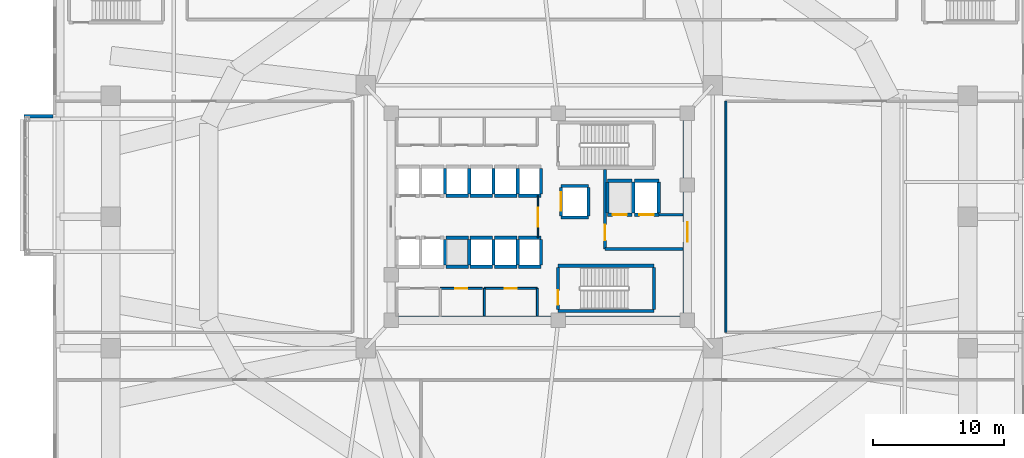
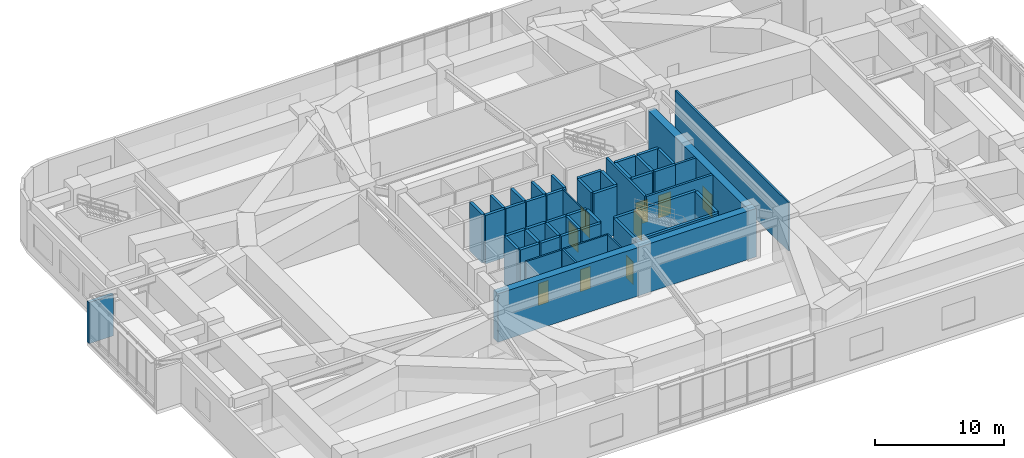
# One storey, part 18 of 26: 49 walls, 9 doors, 9 openings.
"""IFC4 building model written with IfcOpenShell, lengths in metres."""

import ifcopenshell
import ifcopenshell.guid

model = None  # the IFC model being written
_history = None  # IfcOwnerHistory: only IFC2X3 demands one
_inside = {}  # id of a spatial element -> (the spatial element, [elements in it])
_under = {}  # id of a project, library or spatial element -> (it, [spatial elements below it])
_declared = {}  # id of a project -> (the project, [libraries it declares])
_typed = {}  # id of a type object -> (the type object, [elements of that type])
_made_of = {}  # id of a material, layer set ... -> (it, [elements and type objects made of it])


def new_model(schema):
    """Start an empty IFC model of exactly this schema.

    Asked for "IFC4X3", IfcOpenShell would pick the latest addendum, in which some entities
    have other attributes; the version numbers below select the first issue.
    IFC2X3 requires an IfcOwnerHistory on every rooted entity: one is made here for all.
    """
    global model, _history
    if schema == "IFC4X3":
        model = ifcopenshell.file(schema_version=(4, 3, 0, 0))
    else:
        model = ifcopenshell.file(schema=schema)
    _inside.clear()
    _under.clear()
    _declared.clear()
    _typed.clear()
    _made_of.clear()
    _history = None
    if model.schema == "IFC2X3":
        org = make("IfcOrganization", Name="unknown")
        user = make(
            "IfcPersonAndOrganization",
            ThePerson=make("IfcPerson", FamilyName="unknown"),
            TheOrganization=org,
        )
        app = make(
            "IfcApplication",
            ApplicationDeveloper=org,
            Version="unknown",
            ApplicationFullName="unknown",
            ApplicationIdentifier="unknown",
        )
        _history = make(
            "IfcOwnerHistory",
            OwningUser=user,
            OwningApplication=app,
            ChangeAction="ADDED",
            CreationDate=0,
        )
    return model


def make(cls, **values):
    """One entity of the class cls with the attributes given. An attribute that is None is left unset."""
    return model.create_entity(
        cls, **{name: value for name, value in values.items() if value is not None}
    )


def rooted(cls, **values):
    """An entity with a GlobalId (a new one), such as an element, a storey or a relation."""
    return make(cls, GlobalId=ifcopenshell.guid.new(), OwnerHistory=_history, **values)


def si_unit(unit_type, name, prefix=None):
    """IfcSIUnit, for example si_unit("LENGTHUNIT", "METRE", prefix="MILLI")."""
    return make("IfcSIUnit", UnitType=unit_type, Prefix=prefix, Name=name)


def assignment(units):
    """IfcUnitAssignment: the units of a project."""
    return None if units is None else make("IfcUnitAssignment", Units=units)


def point(xyz):
    """IfcCartesianPoint."""
    return None if xyz is None else make("IfcCartesianPoint", Coordinates=xyz)


def direction(xyz):
    """IfcDirection."""
    return None if xyz is None else make("IfcDirection", DirectionRatios=xyz)


def frame(location, z_axis=None, x_axis=None):
    """IfcAxis2Placement3D, a coordinate frame: its origin and axes. An axis left out is left unset."""
    return make(
        "IfcAxis2Placement3D",
        Location=point(location),
        Axis=direction(z_axis),
        RefDirection=direction(x_axis),
    )


def frame_2d(location, x_axis=None):
    """IfcAxis2Placement2D, a coordinate frame in the plane: its origin and x axis."""
    return make(
        "IfcAxis2Placement2D", Location=point(location), RefDirection=direction(x_axis)
    )


def origin():
    """The frame at (0, 0, 0) with its axes left unset."""
    return frame((0.0, 0.0, 0.0))


def place(relative_to, where):
    """IfcLocalPlacement: puts the frame where relative to a parent placement (None: the world)."""
    return make(
        "IfcLocalPlacement", PlacementRelTo=relative_to, RelativePlacement=where
    )


def context(
    kind, dimensions, precision=None, world=None, true_north=None, identifier=None
):
    """IfcGeometricRepresentationContext, for example the 3D "Model" context."""
    return make(
        "IfcGeometricRepresentationContext",
        ContextIdentifier=identifier,
        ContextType=kind,
        CoordinateSpaceDimension=dimensions,
        Precision=precision,
        WorldCoordinateSystem=world,
        TrueNorth=true_north,
    )


def subcontext(parent, identifier, kind, view, scale=None):
    """IfcGeometricRepresentationSubContext, for example "Body" below "Model"."""
    return make(
        "IfcGeometricRepresentationSubContext",
        ContextIdentifier=identifier,
        ContextType=kind,
        ParentContext=parent,
        TargetScale=scale,
        TargetView=view,
    )


def project(units=None, contexts=None):
    """IfcProject with its units and contexts."""
    return rooted(
        "IfcProject",
        Name="project",
        RepresentationContexts=contexts,
        UnitsInContext=assignment(units),
    )


def spatial(cls, under=None, at=None, **own):
    """A site, building, storey or space (cls), placed at a placement, below another one or the project."""
    s = rooted(cls, ObjectPlacement=at, **own)
    if under is not None:
        _under.setdefault(under.id(), (under, []))[1].append(s)
    return s


def profile(cls, at=None, kind="AREA", **sizes):
    """A parametric profile (cls). Its sizes go by their IFC names, for example OverallWidth=200.0."""
    return make(cls, ProfileType=kind, Position=at, **sizes)


def rectangle(**sizes):
    """IfcRectangleProfileDef."""
    return profile("IfcRectangleProfileDef", **sizes)


def extrude(swept, where, along, depth):
    """IfcExtrudedAreaSolid: the profile swept, set in the frame where, extruded along a direction by depth."""
    return make(
        "IfcExtrudedAreaSolid",
        SweptArea=swept,
        Position=where,
        ExtrudedDirection=direction(along),
        Depth=depth,
    )


def shape(context_of_items, identifier, shape_type, items):
    """IfcShapeRepresentation: the items that make up one representation, for example the "Body"."""
    return make(
        "IfcShapeRepresentation",
        ContextOfItems=context_of_items,
        RepresentationIdentifier=identifier,
        RepresentationType=shape_type,
        Items=items,
    )


def material(Name=None, Category=None):
    """IfcMaterial."""
    return make("IfcMaterial", Name=Name, Category=Category)


def layer(
    of_material, thickness, ventilated=None, Name=None, Category=None, Priority=None
):
    """IfcMaterialLayer: one layer of a wall or slab, of a material (None: an air gap)."""
    return make(
        "IfcMaterialLayer",
        Material=of_material,
        LayerThickness=thickness,
        IsVentilated=ventilated,
        Name=Name,
        Category=Category,
        Priority=Priority,
    )


def layer_set(layers, Name=None):
    """IfcMaterialLayerSet."""
    return make("IfcMaterialLayerSet", MaterialLayers=layers, LayerSetName=Name)


def made_of(thing, what):
    """Note that an element or type object is made of a material, layer set ...; save() writes the relation."""
    if what is not None:
        _made_of.setdefault(what.id(), (what, []))[1].append(thing)
    return thing


def type_object(cls, material=None, **own):
    """A type object (cls), such as IfcWallType, which elements share."""
    return made_of(rooted(cls, **own), material)


def element(
    cls,
    number,
    at=None,
    inside=None,
    cuts=None,
    type_object=None,
    material=None,
    context=None,
    identifier="Body",
    shape_type=None,
    held_by="IfcProductDefinitionShape",
    body=None,
    shapes=None,
    **own,
):
    """One element of the class cls, such as IfcWall. Its Tag is "e" and its number.

    at: its placement. inside: the storey or other place that contains it. cuts: it is an
    opening in that element (IfcRelVoidsElement). A single representation is given by context,
    identifier, shape_type and body (its items); several are given by shapes. held_by: the class
    of the entity that holds the representations. save() writes the other relations.
    """
    e = rooted(cls, Tag="e%d" % number, ObjectPlacement=at, **own)
    if body is not None:
        shapes = [shape(context, identifier, shape_type, body)]
    if shapes is not None:
        e.Representation = make(held_by, Representations=shapes)
    if inside is not None:
        _inside.setdefault(inside.id(), (inside, []))[1].append(e)
    if cuts is not None:
        rooted(
            "IfcRelVoidsElement", RelatingBuildingElement=cuts, RelatedOpeningElement=e
        )
    if type_object is not None:
        _typed.setdefault(type_object.id(), (type_object, []))[1].append(e)
    return made_of(e, material)


def fill(opening, filler):
    """IfcRelFillsElement: the door or window that sits in an opening."""
    return rooted(
        "IfcRelFillsElement",
        RelatingOpeningElement=opening,
        RelatedBuildingElement=filler,
    )


def aggregate(whole, parts):
    """IfcRelAggregates: a whole, such as a stair, and the parts it consists of."""
    return rooted("IfcRelAggregates", RelatingObject=whole, RelatedObjects=parts)


def save(model, path):
    """Write the relations noted so far, then the file.

    IfcRelAggregates (storeys below a building ...), IfcRelContainedInSpatialStructure (elements
    in a storey), IfcRelDefinesByType, IfcRelAssociatesMaterial and IfcRelDeclares: one each for
    every whole, place, type object, material and project.
    """
    for whole, parts in _under.values():
        aggregate(whole, parts)
    for where, things in _inside.values():
        rooted(
            "IfcRelContainedInSpatialStructure",
            RelatedElements=things,
            RelatingStructure=where,
        )
    for kind, things in _typed.values():
        rooted("IfcRelDefinesByType", RelatedObjects=things, RelatingType=kind)
    for what, things in _made_of.values():
        rooted("IfcRelAssociatesMaterial", RelatedObjects=things, RelatingMaterial=what)
    for by, libraries in _declared.values():
        rooted("IfcRelDeclares", RelatingContext=by, RelatedDefinitions=libraries)
    model.write(path)


model = new_model("IFC4")

# Units and contexts
model_context = context("Model", 3, precision=1e-05, world=origin(), true_north=direction((0.0, 1.0)))
body_context = subcontext(model_context, "Body", "Model", "MODEL_VIEW")
ifc_project = project(units=[si_unit("LENGTHUNIT", "METRE"), si_unit("AREAUNIT", "SQUARE_METRE"), si_unit("VOLUMEUNIT", "CUBIC_METRE"), si_unit("PLANEANGLEUNIT", "RADIAN"), si_unit("MASSUNIT", "GRAM", prefix="KILO")], contexts=[model_context])

# Site, building, storey
site_placement = place(None, origin())
site = spatial("IfcSite", under=ifc_project, at=site_placement, CompositionType="ELEMENT")
building_placement = place(site_placement, origin())
building = spatial("IfcBuilding", under=site, at=building_placement, Name="Zulverin Broadcast Headquarters", CompositionType="ELEMENT")
storey_placement = place(building_placement, frame((0.0, 0.0, 20.0)))
storey = spatial("IfcBuildingStorey", under=building, at=storey_placement, Name="L04", CompositionType="ELEMENT", Elevation=20.0)

# Wall
ifc_material_1 = material(Name="Concrete C60/75", Category="concrete")
ifc_layer_1 = layer(ifc_material_1, 0.64990234375, Name="Concrete C60/75", Category="concrete")
ifc_layer_set_1 = layer_set([ifc_layer_1], Name="Concrete C60/75")
wall_type_1 = type_object("IfcWallType", Name="WL-CORE-650", PredefinedType="SHEAR", material=ifc_layer_set_1)
wall_1_placement = place(storey_placement, frame((25.39990234375, 17.324951171875, 0.0), z_axis=(0.0, 0.0, 1.0), x_axis=(1.0, 0.0, 0.0)))
element("IfcWall", 1, at=wall_1_placement, inside=storey, type_object=wall_type_1, Name="L04 Core South Shear Wall", PredefinedType="SHEAR", context=body_context, shape_type="SweptSolid", body=[
    extrude(rectangle(XDim=23.2001953125, YDim=0.64990234375, at=frame_2d((11.60009765625, 0.0))), origin(), (0.0, 0.0, 1.0), 4.60009765625),
])

# Wall, opening, door
wall_2_placement = place(storey_placement, frame((48.27490234375, 17.64990234375, 0.0), z_axis=(0.0, 0.0, 1.0), x_axis=(0.0, 1.0, 0.0)))
wall_2 = element("IfcWall", 2, at=wall_2_placement, inside=storey, type_object=wall_type_1, Name="L04 Core East Shear Wall", PredefinedType="SHEAR", context=body_context, shape_type="SweptSolid", body=[
    extrude(rectangle(XDim=15.10009765625, YDim=0.64990234375, at=frame_2d((7.550048828125, 0.0))), origin(), (0.0, 0.0, 1.0), 4.60009765625),
])
opening_1_placement = place(wall_2_placement, frame((5.64990234375, 0.0, 0.0)))
opening_1 = element("IfcOpeningElement", 3, at=opening_1_placement, cuts=wall_2, Name="Opening D-L04-CE1", PredefinedType="OPENING", context=body_context, shape_type="SweptSolid", body=[
    extrude(rectangle(XDim=1.5, YDim=2.14990234375, at=frame_2d((0.75, 1.074951171875))), frame((0.0, 0.3349609375, 0.0), z_axis=(0.0, -1.0, 0.0), x_axis=(1.0, 0.0, 0.0)), (0.0, 0.0, 1.0), 0.669921875),
])
ifc_material_2 = material(Name="Fire-rated glazed steel frame", Category="steel")
door_type_1 = type_object("IfcDoorType", Name="DR-COR-1500", OperationType="DOUBLE_DOOR_SINGLE_SWING", PredefinedType="DOOR", material=ifc_material_2)
door_1_placement = place(opening_1_placement, origin())
door_1 = element("IfcDoor", 4, at=door_1_placement, inside=storey, type_object=door_type_1, Name="L04 Firefighting Lobby East Corridor Door", OperationType="DOUBLE_DOOR_SINGLE_SWING", OverallHeight=2.14990234375, OverallWidth=1.5, PredefinedType="DOOR", context=body_context, shape_type="SweptSolid", body=[
    extrude(rectangle(XDim=1.5, YDim=2.14990234375, at=frame_2d((0.75, 1.074951171875))), frame((0.0, 0.02490234375, 0.0), z_axis=(0.0, -1.0, 0.0), x_axis=(1.0, 0.0, 0.0)), (0.0, 0.0, 1.0), 0.050048828125),
])
fill(opening_1, door_1)

# Wall
ifc_material_3 = material(Name="Insulated pale-metal clad concrete spandrel C40/50", Category="concrete")
ifc_layer_2 = layer(ifc_material_3, 0.280029296875, Name="Insulated pale-metal clad concrete spandrel C40/50", Category="concrete")
ifc_layer_set_2 = layer_set([ifc_layer_2], Name="Insulated pale-metal clad concrete spandrel C40/50")
wall_type_2 = type_object("IfcWallType", Name="WL-EXT-280", PredefinedType="STANDARD", material=ifc_layer_set_2)
wall_3_placement = place(storey_placement, frame((-2.199951171875, 32.860107421875, 0.0), z_axis=(0.0, 0.0, 1.0), x_axis=(1.0, 0.0, 0.0)))
element("IfcWall", 5, at=wall_3_placement, inside=storey, type_object=wall_type_2, Name="L04 Shifted Studio Box Cheek Wall SBOX_POD_UPPER_W1-N", PredefinedType="STANDARD", context=body_context, shape_type="SweptSolid", body=[
    extrude(rectangle(XDim=2.199951171875, YDim=0.280029296875, at=frame_2d((1.10009765625, 0.0))), origin(), (0.0, 0.0, 1.0), 3.906982421875),
])

# Wall, opening, door
ifc_material_4 = material(Name="Concrete C40/50", Category="concrete")
ifc_layer_3 = layer(ifc_material_4, 0.199951171875, Name="Concrete C40/50", Category="concrete")
ifc_layer_set_3 = layer_set([ifc_layer_3], Name="Concrete C40/50")
wall_type_3 = type_object("IfcWallType", Name="WL-FFL-200", PredefinedType="SOLIDWALL", material=ifc_layer_set_3)
wall_4_placement = place(storey_placement, frame((42.0, 22.75, 0.0), z_axis=(0.0, 0.0, 1.0), x_axis=(0.0, 1.0, 0.0)))
wall_4 = element("IfcWall", 6, at=wall_4_placement, inside=storey, type_object=wall_type_3, Name="L04 Firefighting Lift Lobby West Wall", PredefinedType="SOLIDWALL", context=body_context, shape_type="SweptSolid", body=[
    extrude(rectangle(XDim=6.050048828125, YDim=0.199951171875, at=frame_2d((3.02490234375, 0.0))), origin(), (0.0, 0.0, 1.0), 4.60009765625),
])
opening_2_placement = place(wall_4_placement, frame((0.64990234375, 0.0, 0.0)))
opening_2 = element("IfcOpeningElement", 7, at=opening_2_placement, cuts=wall_4, Name="Opening D-L04-FFLW", PredefinedType="OPENING", context=body_context, shape_type="SweptSolid", body=[
    extrude(rectangle(XDim=1.199951171875, YDim=2.14990234375, at=frame_2d((0.60009765625, 1.074951171875))), frame((0.0, 0.10986328125, 0.0), z_axis=(0.0, -1.0, 0.0), x_axis=(1.0, 0.0, 0.0)), (0.0, 0.0, 1.0), 0.219970703125),
])
ifc_material_5 = material(Name="Fire-rated steel leaf and frame", Category="steel")
door_type_2 = type_object("IfcDoorType", Name="DR-FFL-1200", OperationType="SINGLE_SWING_RIGHT", PredefinedType="DOOR", material=ifc_material_5)
door_2_placement = place(opening_2_placement, origin())
door_2 = element("IfcDoor", 8, at=door_2_placement, inside=storey, type_object=door_type_2, Name="L04 Firefighting Lift Lobby Door", OperationType="SINGLE_SWING_RIGHT", OverallHeight=2.14990234375, OverallWidth=1.199951171875, PredefinedType="DOOR", context=body_context, shape_type="SweptSolid", body=[
    extrude(rectangle(XDim=1.199951171875, YDim=2.14990234375, at=frame_2d((0.60009765625, 1.074951171875))), frame((0.0, 0.02490234375, 0.0), z_axis=(0.0, -1.0, 0.0), x_axis=(1.0, 0.0, 0.0)), (0.0, 0.0, 1.0), 0.050048828125),
])
fill(opening_2, door_2)

# Walls
wall_5_placement = place(storey_placement, frame((42.0, 22.75, 0.0), z_axis=(0.0, 0.0, 1.0), x_axis=(1.0, 0.0, 0.0)))
element("IfcWall", 9, at=wall_5_placement, inside=storey, type_object=wall_type_3, Name="L04 Firefighting Lift Lobby South Wall", PredefinedType="SOLIDWALL", context=body_context, shape_type="SweptSolid", body=[
    extrude(rectangle(XDim=5.949951171875, YDim=0.199951171875, at=frame_2d((2.97509765625, 0.0))), origin(), (0.0, 0.0, 1.0), 4.60009765625),
])
wall_6_placement = place(storey_placement, frame((46.10009765625, 25.35009765625, 0.0), z_axis=(0.0, 0.0, 1.0), x_axis=(1.0, 0.0, 0.0)))
element("IfcWall", 10, at=wall_6_placement, inside=storey, type_object=wall_type_3, Name="L04 Firefighting Lift Lobby North Wall", PredefinedType="SOLIDWALL", context=body_context, shape_type="SweptSolid", body=[
    extrude(rectangle(XDim=1.849853515625, YDim=0.199951171875, at=frame_2d((0.9248046875, 0.0))), origin(), (0.0, 0.0, 1.0), 4.60009765625),
])

# Wall, opening, door
ifc_material_6 = material(Name="Fire-rated acoustic laminated glass screen", Category="glass")
ifc_layer_4 = layer(ifc_material_6, 0.10009765625, Name="Fire-rated acoustic laminated glass screen", Category="glass")
ifc_layer_set_4 = layer_set([ifc_layer_4], Name="Fire-rated acoustic laminated glass screen")
wall_type_4 = type_object("IfcWallType", Name="WL-GLAZ-100", PredefinedType="PARTITIONING", material=ifc_layer_set_4)
wall_7_placement = place(storey_placement, frame((36.89990234375, 23.60009765625, 0.0), z_axis=(0.0, 0.0, 1.0), x_axis=(0.0, 1.0, 0.0)))
wall_7 = element("IfcWall", 11, at=wall_7_placement, inside=storey, type_object=wall_type_4, Name="L04 Core Goods & Stair Hall Screen", PredefinedType="PARTITIONING", context=body_context, shape_type="SweptSolid", body=[
    extrude(rectangle(XDim=3.199951171875, YDim=0.10009765625, at=frame_2d((1.60009765625, 0.0))), origin(), (0.0, 0.0, 1.0), 4.60009765625),
])
opening_3_placement = place(wall_7_placement, frame((0.85009765625, 0.0, 0.0)))
opening_3 = element("IfcOpeningElement", 12, at=opening_3_placement, cuts=wall_7, Name="Opening D-L04-CL3", PredefinedType="OPENING", context=body_context, shape_type="SweptSolid", body=[
    extrude(rectangle(XDim=1.449951171875, YDim=2.1201171875, at=frame_2d((0.72509765625, 1.06005859375))), frame((0.0, 0.06005859375, 0.0), z_axis=(0.0, -1.0, 0.0), x_axis=(1.0, 0.0, 0.0)), (0.0, 0.0, 1.0), 0.1201171875),
])
ifc_material_7 = material(Name="Fire-rated acoustic glazed double leaf", Category="glass")
door_type_3 = type_object("IfcDoorType", Name="DR-GLZ-1450", OperationType="DOUBLE_DOOR_SINGLE_SWING", PredefinedType="DOOR", material=ifc_material_7)
door_3_placement = place(opening_3_placement, origin())
door_3 = element("IfcDoor", 13, at=door_3_placement, inside=storey, type_object=door_type_3, Name="L04 Core Goods & Stair Hall Door", OperationType="DOUBLE_DOOR_SINGLE_SWING", OverallHeight=2.1201171875, OverallWidth=1.449951171875, PredefinedType="DOOR", context=body_context, shape_type="SweptSolid", body=[
    extrude(rectangle(XDim=1.449951171875, YDim=2.1201171875, at=frame_2d((0.72509765625, 1.06005859375))), frame((0.0, 0.02490234375, 0.0), z_axis=(0.0, -1.0, 0.0), x_axis=(1.0, 0.0, 0.0)), (0.0, 0.0, 1.0), 0.050048828125),
])
fill(opening_3, door_3)

ifc_material_8 = material(Name="Fire-rated gypsum stud partition", Category="gypsum")
ifc_layer_5 = layer(ifc_material_8, 0.14990234375, Name="Fire-rated gypsum stud partition", Category="gypsum")
ifc_layer_set_5 = layer_set([ifc_layer_5], Name="Fire-rated gypsum stud partition")
wall_type_5 = type_object("IfcWallType", Name="WL-PART-150", PredefinedType="PARTITIONING", material=ifc_layer_set_5)
wall_8_placement = place(storey_placement, frame((29.47998046875, 19.75, 0.0), z_axis=(0.0, 0.0, 1.0), x_axis=(1.0, 0.0, 0.0)))
wall_8 = element("IfcWall", 14, at=wall_8_placement, inside=storey, type_object=wall_type_5, Name="L04 Core Cleaner Store Front Wall", PredefinedType="PARTITIONING", context=body_context, shape_type="SweptSolid", body=[
    extrude(rectangle(XDim=3.18994140625, YDim=0.14990234375, at=frame_2d((1.594970703125, 0.0))), origin(), (0.0, 0.0, 1.0), 4.60009765625),
])
opening_4_placement = place(wall_8_placement, frame((1.14501953125, 0.0, 0.0)))
opening_4 = element("IfcOpeningElement", 15, at=opening_4_placement, cuts=wall_8, Name="Opening D-L04-SC2", PredefinedType="OPENING", context=body_context, shape_type="SweptSolid", body=[
    extrude(rectangle(XDim=0.89990234375, YDim=2.10009765625, at=frame_2d((0.449951171875, 1.050048828125))), frame((0.0, 0.0849609375, 0.0), z_axis=(0.0, -1.0, 0.0), x_axis=(1.0, 0.0, 0.0)), (0.0, 0.0, 1.0), 0.169921875),
])
ifc_material_9 = material(Name="Powder-coated steel access leaf", Category="steel")
door_type_4 = type_object("IfcDoorType", Name="DR-RISER-900", OperationType="SINGLE_SWING_LEFT", PredefinedType="DOOR", material=ifc_material_9)
door_4_placement = place(opening_4_placement, origin())
door_4 = element("IfcDoor", 16, at=door_4_placement, inside=storey, type_object=door_type_4, Name="L04 Cleaner Store Door", OperationType="SINGLE_SWING_LEFT", OverallHeight=2.10009765625, OverallWidth=0.89990234375, PredefinedType="DOOR", context=body_context, shape_type="SweptSolid", body=[
    extrude(rectangle(XDim=0.89990234375, YDim=2.10009765625, at=frame_2d((0.449951171875, 1.050048828125))), frame((0.0, 0.02490234375, 0.0), z_axis=(0.0, -1.0, 0.0), x_axis=(1.0, 0.0, 0.0)), (0.0, 0.0, 1.0), 0.050048828125),
])
fill(opening_4, door_4)

wall_9_placement = place(storey_placement, frame((32.830078125, 19.75, 0.0), z_axis=(0.0, 0.0, 1.0), x_axis=(1.0, 0.0, 0.0)))
wall_9 = element("IfcWall", 17, at=wall_9_placement, inside=storey, type_object=wall_type_5, Name="L04 Core Broadcast Fibre Riser Front Wall", PredefinedType="PARTITIONING", context=body_context, shape_type="SweptSolid", body=[
    extrude(rectangle(XDim=4.02001953125, YDim=0.14990234375, at=frame_2d((2.010009765625, 0.0))), origin(), (0.0, 0.0, 1.0), 4.60009765625),
])
opening_5_placement = place(wall_9_placement, frame((1.56005859375, 0.0, 0.0)))
opening_5 = element("IfcOpeningElement", 18, at=opening_5_placement, cuts=wall_9, Name="Opening D-L04-SC3", PredefinedType="OPENING", context=body_context, shape_type="SweptSolid", body=[
    extrude(rectangle(XDim=0.89990234375, YDim=2.10009765625, at=frame_2d((0.449951171875, 1.050048828125))), frame((0.0, 0.0849609375, 0.0), z_axis=(0.0, -1.0, 0.0), x_axis=(1.0, 0.0, 0.0)), (0.0, 0.0, 1.0), 0.169921875),
])
door_5_placement = place(opening_5_placement, origin())
door_5 = element("IfcDoor", 19, at=door_5_placement, inside=storey, type_object=door_type_4, Name="L04 Broadcast Fibre Riser Door", OperationType="SINGLE_SWING_RIGHT", OverallHeight=2.10009765625, OverallWidth=0.89990234375, PredefinedType="DOOR", context=body_context, shape_type="SweptSolid", body=[
    extrude(rectangle(XDim=0.89990234375, YDim=2.10009765625, at=frame_2d((0.449951171875, 1.050048828125))), frame((0.0, 0.02490234375, 0.0), z_axis=(0.0, -1.0, 0.0), x_axis=(1.0, 0.0, 0.0)), (0.0, 0.0, 1.0), 0.050048828125),
])
fill(opening_5, door_5)

# Walls
for number, where, z_axis, x_axis, name in (
    (20, (32.830078125, 17.64990234375, 0.0), (0.0, 0.0, 1.0), (0.0, 1.0, 0.0), "L04 Core Broadcast Fibre Riser West Wall"),
    (21, (36.85009765625, 17.64990234375, 0.0), (0.0, 0.0, 1.0), (0.0, 1.0, 0.0), "L04 Core Broadcast Fibre Riser East Wall"),
):
    element("IfcWall", number, at=place(storey_placement, frame(where, z_axis=z_axis, x_axis=x_axis)), inside=storey, type_object=wall_type_5, Name=name, PredefinedType="PARTITIONING", context=body_context, shape_type="SweptSolid", body=[
        extrude(rectangle(XDim=2.10009765625, YDim=0.14990234375, at=frame_2d((1.050048828125, 0.0))), origin(), (0.0, 0.0, 1.0), 4.60009765625),
    ])
wall_10_placement = place(storey_placement, frame((51.199951171875, 16.39990234375, 0.0), z_axis=(0.0, 0.0, 1.0), x_axis=(0.0, 1.0, 0.0)))
element("IfcWall", 22, at=wall_10_placement, inside=storey, type_object=wall_type_5, Name="L04 Gallery Partition Wall CG-02", PredefinedType="PARTITIONING", context=body_context, shape_type="SweptSolid", body=[
    extrude(rectangle(XDim=17.60009765625, YDim=0.14990234375, at=frame_2d((8.800048828125, 0.0))), origin(), (0.0, 0.0, 1.0), 4.60009765625),
])
ifc_material_10 = material(Name="Concrete C50/60", Category="concrete")
ifc_layer_6 = layer(ifc_material_10, 0.25, Name="Concrete C50/60", Category="concrete")
ifc_layer_set_6 = layer_set([ifc_layer_6], Name="Concrete C50/60")
wall_type_6 = type_object("IfcWallType", Name="WL-SHAFT-250", PredefinedType="SHEAR", material=ifc_layer_set_6)
for number, where, z_axis, x_axis, name in (
    (23, (38.425048828125, 18.02490234375, 0.0), (0.0, 0.0, 1.0), (1.0, 0.0, 0.0), "L04 ST-2 Enclosure Wall S"),
    (24, (38.425048828125, 21.47509765625, 0.0), (0.0, 0.0, 1.0), (1.0, 0.0, 0.0), "L04 ST-2 Enclosure Wall N"),
):
    element("IfcWall", number, at=place(storey_placement, frame(where, z_axis=z_axis, x_axis=x_axis)), inside=storey, type_object=wall_type_6, Name=name, PredefinedType="SHEAR", context=body_context, shape_type="SweptSolid", body=[
        extrude(rectangle(XDim=7.300048828125, YDim=0.25, at=frame_2d((3.64990234375, 0.0))), origin(), (0.0, 0.0, 1.0), 4.60009765625),
    ])

# Wall, opening, door
wall_11_placement = place(storey_placement, frame((38.425048828125, 18.14990234375, 0.0), z_axis=(0.0, 0.0, 1.0), x_axis=(0.0, 1.0, 0.0)))
wall_11 = element("IfcWall", 25, at=wall_11_placement, inside=storey, type_object=wall_type_6, Name="L04 ST-2 Enclosure Wall W", PredefinedType="SHEAR", context=body_context, shape_type="SweptSolid", body=[
    extrude(rectangle(XDim=3.2001953125, YDim=0.25, at=frame_2d((1.60009765625, 0.0))), origin(), (0.0, 0.0, 1.0), 4.60009765625),
])
opening_6_placement = place(wall_11_placement, frame((0.35009765625, 0.0, 0.0)))
opening_6 = element("IfcOpeningElement", 26, at=opening_6_placement, cuts=wall_11, Name="Opening D-L04-ST-2", PredefinedType="OPENING", context=body_context, shape_type="SweptSolid", body=[
    extrude(rectangle(XDim=1.10009765625, YDim=2.14990234375, at=frame_2d((0.550048828125, 1.074951171875))), frame((0.0, 0.135009765625, 0.0), z_axis=(0.0, -1.0, 0.0), x_axis=(1.0, 0.0, 0.0)), (0.0, 0.0, 1.0), 0.27001953125),
])
door_type_5 = type_object("IfcDoorType", Name="DR-STAIR-1100", OperationType="SINGLE_SWING_LEFT", PredefinedType="DOOR", material=ifc_material_5)
door_6_placement = place(opening_6_placement, origin())
door_6 = element("IfcDoor", 27, at=door_6_placement, inside=storey, type_object=door_type_5, Name="L04 Exit Stair ST-2 Fire Door", OperationType="SINGLE_SWING_RIGHT", OverallHeight=2.14990234375, OverallWidth=1.10009765625, PredefinedType="DOOR", context=body_context, shape_type="SweptSolid", body=[
    extrude(rectangle(XDim=1.10009765625, YDim=2.14990234375, at=frame_2d((0.550048828125, 1.074951171875))), frame((0.0, 0.02490234375, 0.0), z_axis=(0.0, -1.0, 0.0), x_axis=(1.0, 0.0, 0.0)), (0.0, 0.0, 1.0), 0.050048828125),
])
fill(opening_6, door_6)

# Walls
wall_12_placement = place(storey_placement, frame((45.72509765625, 18.14990234375, 0.0), z_axis=(0.0, 0.0, 1.0), x_axis=(0.0, 1.0, 0.0)))
element("IfcWall", 28, at=wall_12_placement, inside=storey, type_object=wall_type_6, Name="L04 ST-2 Enclosure Wall E", PredefinedType="SHEAR", context=body_context, shape_type="SweptSolid", body=[
    extrude(rectangle(XDim=3.2001953125, YDim=0.25, at=frame_2d((1.60009765625, 0.0))), origin(), (0.0, 0.0, 1.0), 4.60009765625),
])
for number, where, z_axis, x_axis, name in (
    (29, (29.8349609375, 26.919921875, 0.0), (0.0, 0.0, 1.0), (0.0, 1.0, 0.0), "L04 Lift PL-L2 Shaft Wall E"),
    (30, (29.8349609375, 21.52001953125, 0.0), (0.0, 0.0, 1.0), (0.0, 1.0, 0.0), "L04 Lift PL-L4 Shaft Wall E"),
):
    element("IfcWall", number, at=place(storey_placement, frame(where, z_axis=z_axis, x_axis=x_axis)), inside=storey, type_object=wall_type_6, Name=name, PredefinedType="SHEAR", context=body_context, shape_type="SweptSolid", body=[
        extrude(rectangle(XDim=1.9599609375, YDim=0.25, at=frame_2d((0.97998046875, 0.0))), origin(), (0.0, 0.0, 1.0), 4.60009765625),
    ])
for number, where, z_axis, x_axis, name in (
    (31, (29.89990234375, 21.39990234375, 0.0), (0.0, 0.0, 1.0), (1.0, 0.0, 0.0), "L04 Lift PL-M1 Shaft Wall S"),
    (32, (29.89990234375, 23.60009765625, 0.0), (0.0, 0.0, 1.0), (1.0, 0.0, 0.0), "L04 Lift PL-M1 Shaft Wall N"),
):
    element("IfcWall", number, at=place(storey_placement, frame(where, z_axis=z_axis, x_axis=x_axis)), inside=storey, type_object=wall_type_6, Name=name, PredefinedType="SHEAR", context=body_context, shape_type="SweptSolid", body=[
        extrude(rectangle(XDim=1.72021484375, YDim=0.25, at=frame_2d((0.860107421875, 0.0))), origin(), (0.0, 0.0, 1.0), 4.60009765625),
    ])
wall_13_placement = place(storey_placement, frame((31.679931640625, 21.52001953125, 0.0), z_axis=(0.0, 0.0, 1.0), x_axis=(0.0, 1.0, 0.0)))
element("IfcWall", 33, at=wall_13_placement, inside=storey, type_object=wall_type_6, Name="L04 Lift PL-M1 Shaft Wall E", PredefinedType="SHEAR", context=body_context, shape_type="SweptSolid", body=[
    extrude(rectangle(XDim=1.9599609375, YDim=0.25, at=frame_2d((0.97998046875, 0.0))), origin(), (0.0, 0.0, 1.0), 4.60009765625),
])
for number, where, z_axis, x_axis, name in (
    (34, (31.739990234375, 21.39990234375, 0.0), (0.0, 0.0, 1.0), (1.0, 0.0, 0.0), "L04 Lift PL-M2 Shaft Wall S"),
    (35, (31.739990234375, 23.60009765625, 0.0), (0.0, 0.0, 1.0), (1.0, 0.0, 0.0), "L04 Lift PL-M2 Shaft Wall N"),
):
    element("IfcWall", number, at=place(storey_placement, frame(where, z_axis=z_axis, x_axis=x_axis)), inside=storey, type_object=wall_type_6, Name=name, PredefinedType="SHEAR", context=body_context, shape_type="SweptSolid", body=[
        extrude(rectangle(XDim=1.719970703125, YDim=0.25, at=frame_2d((0.85986328125, 0.0))), origin(), (0.0, 0.0, 1.0), 4.60009765625),
    ])
wall_14_placement = place(storey_placement, frame((33.52001953125, 21.52001953125, 0.0), z_axis=(0.0, 0.0, 1.0), x_axis=(0.0, 1.0, 0.0)))
element("IfcWall", 36, at=wall_14_placement, inside=storey, type_object=wall_type_6, Name="L04 Lift PL-M2 Shaft Wall E", PredefinedType="SHEAR", context=body_context, shape_type="SweptSolid", body=[
    extrude(rectangle(XDim=1.9599609375, YDim=0.25, at=frame_2d((0.97998046875, 0.0))), origin(), (0.0, 0.0, 1.0), 4.60009765625),
])
for number, where, z_axis, x_axis, name in (
    (37, (33.580078125, 21.39990234375, 0.0), (0.0, 0.0, 1.0), (1.0, 0.0, 0.0), "L04 Lift PL-M3 Shaft Wall S"),
    (38, (33.580078125, 23.60009765625, 0.0), (0.0, 0.0, 1.0), (1.0, 0.0, 0.0), "L04 Lift PL-M3 Shaft Wall N"),
):
    element("IfcWall", number, at=place(storey_placement, frame(where, z_axis=z_axis, x_axis=x_axis)), inside=storey, type_object=wall_type_6, Name=name, PredefinedType="SHEAR", context=body_context, shape_type="SweptSolid", body=[
        extrude(rectangle(XDim=1.719970703125, YDim=0.25, at=frame_2d((0.85986328125, 0.0))), origin(), (0.0, 0.0, 1.0), 4.60009765625),
    ])
wall_15_placement = place(storey_placement, frame((35.360107421875, 21.52001953125, 0.0), z_axis=(0.0, 0.0, 1.0), x_axis=(0.0, 1.0, 0.0)))
element("IfcWall", 39, at=wall_15_placement, inside=storey, type_object=wall_type_6, Name="L04 Lift PL-M3 Shaft Wall E", PredefinedType="SHEAR", context=body_context, shape_type="SweptSolid", body=[
    extrude(rectangle(XDim=1.9599609375, YDim=0.25, at=frame_2d((0.97998046875, 0.0))), origin(), (0.0, 0.0, 1.0), 4.60009765625),
])
for number, where, z_axis, x_axis, name in (
    (40, (35.419921875, 21.39990234375, 0.0), (0.0, 0.0, 1.0), (1.0, 0.0, 0.0), "L04 Lift PL-M4 Shaft Wall S"),
    (41, (35.419921875, 23.60009765625, 0.0), (0.0, 0.0, 1.0), (1.0, 0.0, 0.0), "L04 Lift PL-M4 Shaft Wall N"),
):
    element("IfcWall", number, at=place(storey_placement, frame(where, z_axis=z_axis, x_axis=x_axis)), inside=storey, type_object=wall_type_6, Name=name, PredefinedType="SHEAR", context=body_context, shape_type="SweptSolid", body=[
        extrude(rectangle(XDim=1.719970703125, YDim=0.25, at=frame_2d((0.85986328125, 0.0))), origin(), (0.0, 0.0, 1.0), 4.60009765625),
    ])
wall_16_placement = place(storey_placement, frame((37.139892578125, 21.52001953125, 0.0), z_axis=(0.0, 0.0, 1.0), x_axis=(0.0, 1.0, 0.0)))
element("IfcWall", 42, at=wall_16_placement, inside=storey, type_object=wall_type_6, Name="L04 Lift PL-M4 Shaft Wall E", PredefinedType="SHEAR", context=body_context, shape_type="SweptSolid", body=[
    extrude(rectangle(XDim=1.9599609375, YDim=0.25, at=frame_2d((0.97998046875, 0.0))), origin(), (0.0, 0.0, 1.0), 4.60009765625),
])
wall_17_placement = place(storey_placement, frame((29.89990234375, 26.800048828125, 0.0), z_axis=(0.0, 0.0, 1.0), x_axis=(1.0, 0.0, 0.0)))
element("IfcWall", 43, at=wall_17_placement, inside=storey, type_object=wall_type_6, Name="L04 Lift PL-H1 Shaft Wall S", PredefinedType="SHEAR", context=body_context, shape_type="SweptSolid", body=[
    extrude(rectangle(XDim=1.72021484375, YDim=0.25, at=frame_2d((0.860107421875, 0.0))), origin(), (0.0, 0.0, 1.0), 4.60009765625),
])
wall_18_placement = place(storey_placement, frame((31.679931640625, 26.919921875, 0.0), z_axis=(0.0, 0.0, 1.0), x_axis=(0.0, 1.0, 0.0)))
element("IfcWall", 44, at=wall_18_placement, inside=storey, type_object=wall_type_6, Name="L04 Lift PL-H1 Shaft Wall E", PredefinedType="SHEAR", context=body_context, shape_type="SweptSolid", body=[
    extrude(rectangle(XDim=1.9599609375, YDim=0.25, at=frame_2d((0.97998046875, 0.0))), origin(), (0.0, 0.0, 1.0), 4.60009765625),
])
wall_19_placement = place(storey_placement, frame((31.739990234375, 26.800048828125, 0.0), z_axis=(0.0, 0.0, 1.0), x_axis=(1.0, 0.0, 0.0)))
element("IfcWall", 45, at=wall_19_placement, inside=storey, type_object=wall_type_6, Name="L04 Lift PL-H2 Shaft Wall S", PredefinedType="SHEAR", context=body_context, shape_type="SweptSolid", body=[
    extrude(rectangle(XDim=1.719970703125, YDim=0.25, at=frame_2d((0.85986328125, 0.0))), origin(), (0.0, 0.0, 1.0), 4.60009765625),
])
wall_20_placement = place(storey_placement, frame((33.52001953125, 26.919921875, 0.0), z_axis=(0.0, 0.0, 1.0), x_axis=(0.0, 1.0, 0.0)))
element("IfcWall", 46, at=wall_20_placement, inside=storey, type_object=wall_type_6, Name="L04 Lift PL-H2 Shaft Wall E", PredefinedType="SHEAR", context=body_context, shape_type="SweptSolid", body=[
    extrude(rectangle(XDim=1.9599609375, YDim=0.25, at=frame_2d((0.97998046875, 0.0))), origin(), (0.0, 0.0, 1.0), 4.60009765625),
])
wall_21_placement = place(storey_placement, frame((33.580078125, 26.800048828125, 0.0), z_axis=(0.0, 0.0, 1.0), x_axis=(1.0, 0.0, 0.0)))
element("IfcWall", 47, at=wall_21_placement, inside=storey, type_object=wall_type_6, Name="L04 Lift PL-H3 Shaft Wall S", PredefinedType="SHEAR", context=body_context, shape_type="SweptSolid", body=[
    extrude(rectangle(XDim=1.719970703125, YDim=0.25, at=frame_2d((0.85986328125, 0.0))), origin(), (0.0, 0.0, 1.0), 4.60009765625),
])
wall_22_placement = place(storey_placement, frame((35.360107421875, 26.919921875, 0.0), z_axis=(0.0, 0.0, 1.0), x_axis=(0.0, 1.0, 0.0)))
element("IfcWall", 48, at=wall_22_placement, inside=storey, type_object=wall_type_6, Name="L04 Lift PL-H3 Shaft Wall E", PredefinedType="SHEAR", context=body_context, shape_type="SweptSolid", body=[
    extrude(rectangle(XDim=1.9599609375, YDim=0.25, at=frame_2d((0.97998046875, 0.0))), origin(), (0.0, 0.0, 1.0), 4.60009765625),
])
wall_23_placement = place(storey_placement, frame((35.419921875, 26.800048828125, 0.0), z_axis=(0.0, 0.0, 1.0), x_axis=(1.0, 0.0, 0.0)))
element("IfcWall", 49, at=wall_23_placement, inside=storey, type_object=wall_type_6, Name="L04 Lift PL-H4 Shaft Wall S", PredefinedType="SHEAR", context=body_context, shape_type="SweptSolid", body=[
    extrude(rectangle(XDim=1.719970703125, YDim=0.25, at=frame_2d((0.85986328125, 0.0))), origin(), (0.0, 0.0, 1.0), 4.60009765625),
])
wall_24_placement = place(storey_placement, frame((37.139892578125, 26.919921875, 0.0), z_axis=(0.0, 0.0, 1.0), x_axis=(0.0, 1.0, 0.0)))
element("IfcWall", 50, at=wall_24_placement, inside=storey, type_object=wall_type_6, Name="L04 Lift PL-H4 Shaft Wall E", PredefinedType="SHEAR", context=body_context, shape_type="SweptSolid", body=[
    extrude(rectangle(XDim=1.9599609375, YDim=0.25, at=frame_2d((0.97998046875, 0.0))), origin(), (0.0, 0.0, 1.0), 4.60009765625),
])

# Wall, opening, door
wall_25_placement = place(storey_placement, frame((42.199951171875, 25.35009765625, 0.0), z_axis=(0.0, 0.0, 1.0), x_axis=(1.0, 0.0, 0.0)))
wall_25 = element("IfcWall", 51, at=wall_25_placement, inside=storey, type_object=wall_type_6, Name="L04 Lift FFL-1 Shaft Wall S", PredefinedType="SHEAR", context=body_context, shape_type="SweptSolid", body=[
    extrude(rectangle(XDim=1.85009765625, YDim=0.25, at=frame_2d((0.925048828125, 0.0))), origin(), (0.0, 0.0, 1.0), 4.60009765625),
])
opening_7_placement = place(wall_25_placement, frame((0.375, 0.0, 0.0)))
opening_7 = element("IfcOpeningElement", 52, at=opening_7_placement, cuts=wall_25, Name="Opening LD-FFL-1-L04", PredefinedType="OPENING", context=body_context, shape_type="SweptSolid", body=[
    extrude(rectangle(XDim=1.10009765625, YDim=2.14990234375, at=frame_2d((0.550048828125, 1.074951171875))), frame((0.0, 0.135009765625, 0.0), z_axis=(0.0, -1.0, 0.0), x_axis=(1.0, 0.0, 0.0)), (0.0, 0.0, 1.0), 0.27001953125),
])
ifc_material_11 = material(Name="Fire-rated stainless landing door", Category="steel")
door_type_6 = type_object("IfcDoorType", Name="LD-FFL-1100", OperationType="DOUBLE_DOOR_SLIDING", PredefinedType="DOOR", material=ifc_material_11)
door_7_placement = place(opening_7_placement, origin())
door_7 = element("IfcDoor", 53, at=door_7_placement, inside=storey, type_object=door_type_6, Name="L04 Lift FFL-1 Sliding Landing Door", OperationType="DOUBLE_DOOR_SLIDING", OverallHeight=2.14990234375, OverallWidth=1.10009765625, PredefinedType="DOOR", context=body_context, shape_type="SweptSolid", body=[
    extrude(rectangle(XDim=1.10009765625, YDim=2.14990234375, at=frame_2d((0.550048828125, 1.074951171875))), frame((0.0, 0.02490234375, 0.0), z_axis=(0.0, -1.0, 0.0), x_axis=(1.0, 0.0, 0.0)), (0.0, 0.0, 1.0), 0.050048828125),
])
fill(opening_7, door_7)

# Walls
wall_26_placement = place(storey_placement, frame((42.199951171875, 27.949951171875, 0.0), z_axis=(0.0, 0.0, 1.0), x_axis=(1.0, 0.0, 0.0)))
element("IfcWall", 54, at=wall_26_placement, inside=storey, type_object=wall_type_6, Name="L04 Lift FFL-1 Shaft Wall N", PredefinedType="SHEAR", context=body_context, shape_type="SweptSolid", body=[
    extrude(rectangle(XDim=1.85009765625, YDim=0.25, at=frame_2d((0.925048828125, 0.0))), origin(), (0.0, 0.0, 1.0), 4.60009765625),
])
for number, where, z_axis, x_axis, name in (
    (55, (42.199951171875, 25.469970703125, 0.0), (0.0, 0.0, 1.0), (0.0, 1.0, 0.0), "L04 Lift FFL-1 Shaft Wall W"),
    (56, (44.14990234375, 25.469970703125, 0.0), (0.0, 0.0, 1.0), (0.0, 1.0, 0.0), "L04 Lift FFL-1 Shaft Wall E"),
):
    element("IfcWall", number, at=place(storey_placement, frame(where, z_axis=z_axis, x_axis=x_axis)), inside=storey, type_object=wall_type_6, Name=name, PredefinedType="SHEAR", context=body_context, shape_type="SweptSolid", body=[
        extrude(rectangle(XDim=2.360107421875, YDim=0.25, at=frame_2d((1.18017578125, 0.0))), origin(), (0.0, 0.0, 1.0), 4.60009765625),
    ])

# Wall, opening, door
wall_27_placement = place(storey_placement, frame((44.25, 25.35009765625, 0.0), z_axis=(0.0, 0.0, 1.0), x_axis=(1.0, 0.0, 0.0)))
wall_27 = element("IfcWall", 57, at=wall_27_placement, inside=storey, type_object=wall_type_6, Name="L04 Lift FFL-2 Shaft Wall S", PredefinedType="SHEAR", context=body_context, shape_type="SweptSolid", body=[
    extrude(rectangle(XDim=1.85009765625, YDim=0.25, at=frame_2d((0.925048828125, 0.0))), origin(), (0.0, 0.0, 1.0), 4.60009765625),
])
opening_8_placement = place(wall_27_placement, frame((0.375, 0.0, 0.0)))
opening_8 = element("IfcOpeningElement", 58, at=opening_8_placement, cuts=wall_27, Name="Opening LD-FFL-2-L04", PredefinedType="OPENING", context=body_context, shape_type="SweptSolid", body=[
    extrude(rectangle(XDim=1.10009765625, YDim=2.14990234375, at=frame_2d((0.550048828125, 1.074951171875))), frame((0.0, 0.135009765625, 0.0), z_axis=(0.0, -1.0, 0.0), x_axis=(1.0, 0.0, 0.0)), (0.0, 0.0, 1.0), 0.27001953125),
])
door_8_placement = place(opening_8_placement, origin())
door_8 = element("IfcDoor", 59, at=door_8_placement, inside=storey, type_object=door_type_6, Name="L04 Lift FFL-2 Sliding Landing Door", OperationType="DOUBLE_DOOR_SLIDING", OverallHeight=2.14990234375, OverallWidth=1.10009765625, PredefinedType="DOOR", context=body_context, shape_type="SweptSolid", body=[
    extrude(rectangle(XDim=1.10009765625, YDim=2.14990234375, at=frame_2d((0.550048828125, 1.074951171875))), frame((0.0, 0.02490234375, 0.0), z_axis=(0.0, -1.0, 0.0), x_axis=(1.0, 0.0, 0.0)), (0.0, 0.0, 1.0), 0.050048828125),
])
fill(opening_8, door_8)

# Walls
wall_28_placement = place(storey_placement, frame((44.25, 27.949951171875, 0.0), z_axis=(0.0, 0.0, 1.0), x_axis=(1.0, 0.0, 0.0)))
element("IfcWall", 60, at=wall_28_placement, inside=storey, type_object=wall_type_6, Name="L04 Lift FFL-2 Shaft Wall N", PredefinedType="SHEAR", context=body_context, shape_type="SweptSolid", body=[
    extrude(rectangle(XDim=1.85009765625, YDim=0.25, at=frame_2d((0.925048828125, 0.0))), origin(), (0.0, 0.0, 1.0), 4.60009765625),
])
wall_29_placement = place(storey_placement, frame((46.10009765625, 25.469970703125, 0.0), z_axis=(0.0, 0.0, 1.0), x_axis=(0.0, 1.0, 0.0)))
element("IfcWall", 61, at=wall_29_placement, inside=storey, type_object=wall_type_6, Name="L04 Lift FFL-2 Shaft Wall E", PredefinedType="SHEAR", context=body_context, shape_type="SweptSolid", body=[
    extrude(rectangle(XDim=2.360107421875, YDim=0.25, at=frame_2d((1.18017578125, 0.0))), origin(), (0.0, 0.0, 1.0), 4.60009765625),
])
for number, where, z_axis, x_axis, name in (
    (62, (38.64990234375, 25.14990234375, 0.0), (0.0, 0.0, 1.0), (1.0, 0.0, 0.0), "L04 Lift SVL-1 Shaft Wall S"),
    (63, (38.64990234375, 27.550048828125, 0.0), (0.0, 0.0, 1.0), (1.0, 0.0, 0.0), "L04 Lift SVL-1 Shaft Wall N"),
):
    element("IfcWall", number, at=place(storey_placement, frame(where, z_axis=z_axis, x_axis=x_axis)), inside=storey, type_object=wall_type_6, Name=name, PredefinedType="SHEAR", context=body_context, shape_type="SweptSolid", body=[
        extrude(rectangle(XDim=2.10009765625, YDim=0.25, at=frame_2d((1.050048828125, 0.0))), origin(), (0.0, 0.0, 1.0), 4.60009765625),
    ])

# Wall, opening, door
wall_30_placement = place(storey_placement, frame((38.64990234375, 25.27001953125, 0.0), z_axis=(0.0, 0.0, 1.0), x_axis=(0.0, 1.0, 0.0)))
wall_30 = element("IfcWall", 64, at=wall_30_placement, inside=storey, type_object=wall_type_6, Name="L04 Lift SVL-1 Shaft Wall W", PredefinedType="SHEAR", context=body_context, shape_type="SweptSolid", body=[
    extrude(rectangle(XDim=2.159912109375, YDim=0.25, at=frame_2d((1.080078125, 0.0))), origin(), (0.0, 0.0, 1.0), 4.60009765625),
])
opening_9_placement = place(wall_30_placement, frame((0.3798828125, 0.0, 0.0)))
opening_9 = element("IfcOpeningElement", 65, at=opening_9_placement, cuts=wall_30, Name="Opening LD-SVL-1-L04", PredefinedType="OPENING", context=body_context, shape_type="SweptSolid", body=[
    extrude(rectangle(XDim=1.39990234375, YDim=2.199951171875, at=frame_2d((0.699951171875, 1.10009765625))), frame((0.0, 0.135009765625, 0.0), z_axis=(0.0, -1.0, 0.0), x_axis=(1.0, 0.0, 0.0)), (0.0, 0.0, 1.0), 0.27001953125),
])
ifc_material_12 = material(Name="Heavy-duty stainless landing door", Category="steel")
door_type_7 = type_object("IfcDoorType", Name="LD-GOODS-1400", OperationType="DOUBLE_DOOR_SLIDING", PredefinedType="DOOR", material=ifc_material_12)
door_9_placement = place(opening_9_placement, origin())
door_9 = element("IfcDoor", 66, at=door_9_placement, inside=storey, type_object=door_type_7, Name="L04 Lift SVL-1 Sliding Landing Door", OperationType="DOUBLE_DOOR_SLIDING", OverallHeight=2.199951171875, OverallWidth=1.39990234375, PredefinedType="DOOR", context=body_context, shape_type="SweptSolid", body=[
    extrude(rectangle(XDim=1.39990234375, YDim=2.199951171875, at=frame_2d((0.699951171875, 1.10009765625))), frame((0.0, 0.02490234375, 0.0), z_axis=(0.0, -1.0, 0.0), x_axis=(1.0, 0.0, 0.0)), (0.0, 0.0, 1.0), 0.050048828125),
])
fill(opening_9, door_9)

# Wall
wall_31_placement = place(storey_placement, frame((40.75, 25.27001953125, 0.0), z_axis=(0.0, 0.0, 1.0), x_axis=(0.0, 1.0, 0.0)))
element("IfcWall", 67, at=wall_31_placement, inside=storey, type_object=wall_type_6, Name="L04 Lift SVL-1 Shaft Wall E", PredefinedType="SHEAR", context=body_context, shape_type="SweptSolid", body=[
    extrude(rectangle(XDim=2.159912109375, YDim=0.25, at=frame_2d((1.080078125, 0.0))), origin(), (0.0, 0.0, 1.0), 4.60009765625),
])

save(model, "model.ifc")
